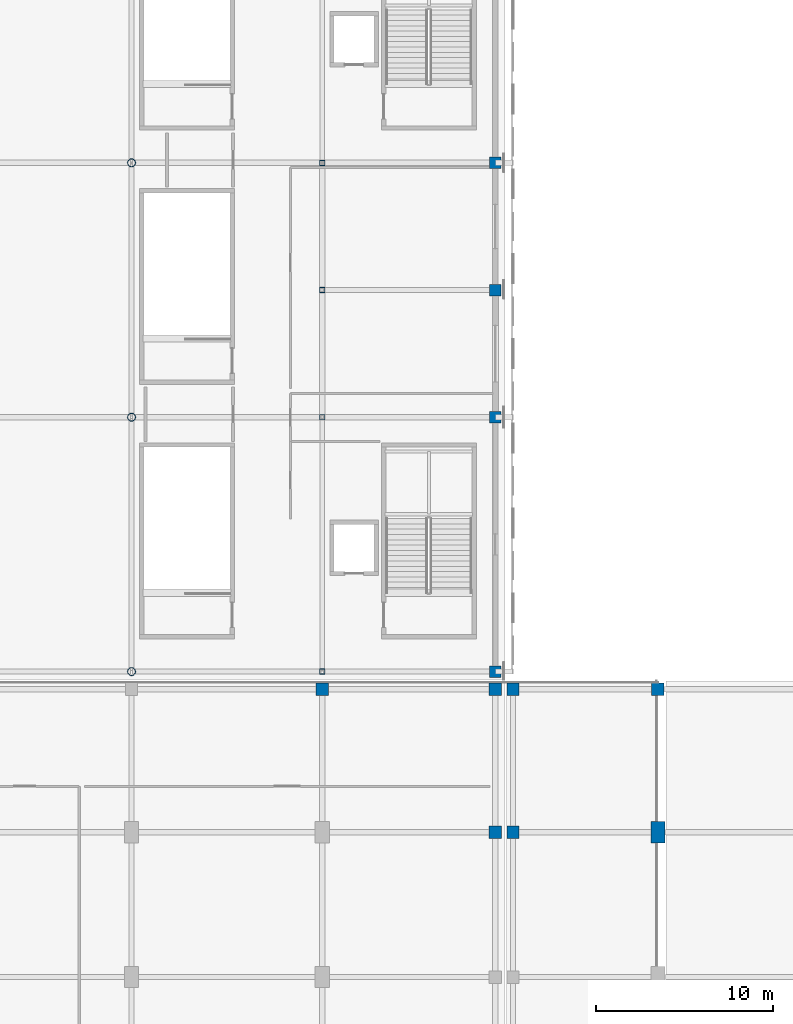
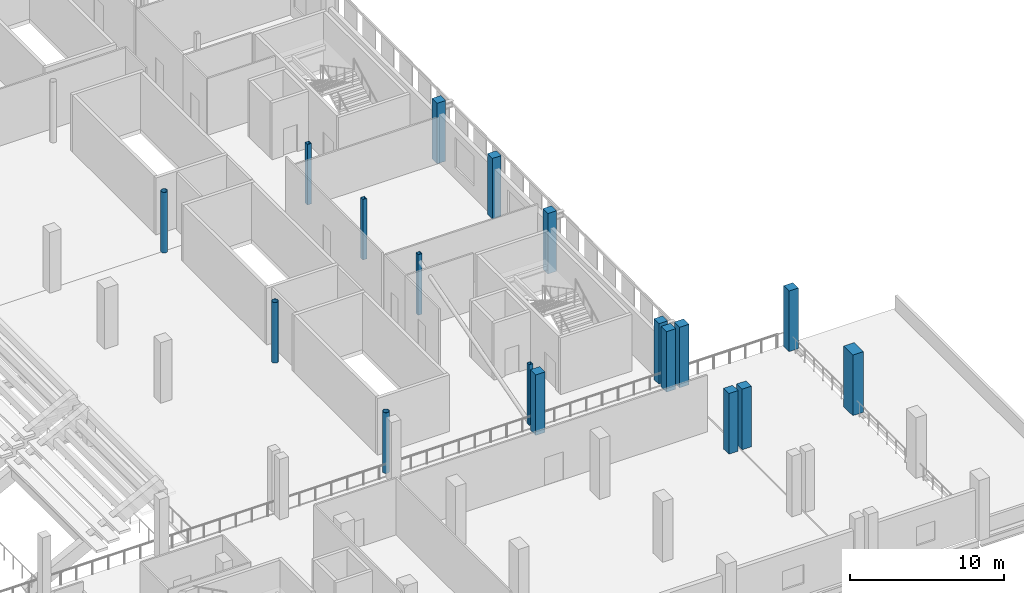
# One storey, part 7 of 74: 18 columns.
"""IFC4 building model written with IfcOpenShell, lengths in metres."""

import ifcopenshell
import ifcopenshell.guid

model = None  # the IFC model being written
_history = None  # IfcOwnerHistory: only IFC2X3 demands one
_inside = {}  # id of a spatial element -> (the spatial element, [elements in it])
_under = {}  # id of a project, library or spatial element -> (it, [spatial elements below it])
_declared = {}  # id of a project -> (the project, [libraries it declares])
_typed = {}  # id of a type object -> (the type object, [elements of that type])
_made_of = {}  # id of a material, layer set ... -> (it, [elements and type objects made of it])


def new_model(schema):
    """Start an empty IFC model of exactly this schema.

    Asked for "IFC4X3", IfcOpenShell would pick the latest addendum, in which some entities
    have other attributes; the version numbers below select the first issue.
    IFC2X3 requires an IfcOwnerHistory on every rooted entity: one is made here for all.
    """
    global model, _history
    if schema == "IFC4X3":
        model = ifcopenshell.file(schema_version=(4, 3, 0, 0))
    else:
        model = ifcopenshell.file(schema=schema)
    _inside.clear()
    _under.clear()
    _declared.clear()
    _typed.clear()
    _made_of.clear()
    _history = None
    if model.schema == "IFC2X3":
        org = make("IfcOrganization", Name="unknown")
        user = make(
            "IfcPersonAndOrganization",
            ThePerson=make("IfcPerson", FamilyName="unknown"),
            TheOrganization=org,
        )
        app = make(
            "IfcApplication",
            ApplicationDeveloper=org,
            Version="unknown",
            ApplicationFullName="unknown",
            ApplicationIdentifier="unknown",
        )
        _history = make(
            "IfcOwnerHistory",
            OwningUser=user,
            OwningApplication=app,
            ChangeAction="ADDED",
            CreationDate=0,
        )
    return model


def make(cls, **values):
    """One entity of the class cls with the attributes given. An attribute that is None is left unset."""
    return model.create_entity(
        cls, **{name: value for name, value in values.items() if value is not None}
    )


def rooted(cls, **values):
    """An entity with a GlobalId (a new one), such as an element, a storey or a relation."""
    return make(cls, GlobalId=ifcopenshell.guid.new(), OwnerHistory=_history, **values)


def si_unit(unit_type, name, prefix=None):
    """IfcSIUnit, for example si_unit("LENGTHUNIT", "METRE", prefix="MILLI")."""
    return make("IfcSIUnit", UnitType=unit_type, Prefix=prefix, Name=name)


def assignment(units):
    """IfcUnitAssignment: the units of a project."""
    return None if units is None else make("IfcUnitAssignment", Units=units)


def point(xyz):
    """IfcCartesianPoint."""
    return None if xyz is None else make("IfcCartesianPoint", Coordinates=xyz)


def direction(xyz):
    """IfcDirection."""
    return None if xyz is None else make("IfcDirection", DirectionRatios=xyz)


def frame(location, z_axis=None, x_axis=None):
    """IfcAxis2Placement3D, a coordinate frame: its origin and axes. An axis left out is left unset."""
    return make(
        "IfcAxis2Placement3D",
        Location=point(location),
        Axis=direction(z_axis),
        RefDirection=direction(x_axis),
    )


def frame_2d(location, x_axis=None):
    """IfcAxis2Placement2D, a coordinate frame in the plane: its origin and x axis."""
    return make(
        "IfcAxis2Placement2D", Location=point(location), RefDirection=direction(x_axis)
    )


def origin():
    """The frame at (0, 0, 0) with its axes left unset."""
    return frame((0.0, 0.0, 0.0))


def origin_2d():
    """The frame at (0, 0) in the plane with its x axis left unset."""
    return frame_2d((0.0, 0.0))


def place(relative_to, where):
    """IfcLocalPlacement: puts the frame where relative to a parent placement (None: the world)."""
    return make(
        "IfcLocalPlacement", PlacementRelTo=relative_to, RelativePlacement=where
    )


def context(
    kind, dimensions, precision=None, world=None, true_north=None, identifier=None
):
    """IfcGeometricRepresentationContext, for example the 3D "Model" context."""
    return make(
        "IfcGeometricRepresentationContext",
        ContextIdentifier=identifier,
        ContextType=kind,
        CoordinateSpaceDimension=dimensions,
        Precision=precision,
        WorldCoordinateSystem=world,
        TrueNorth=true_north,
    )


def subcontext(parent, identifier, kind, view, scale=None):
    """IfcGeometricRepresentationSubContext, for example "Body" below "Model"."""
    return make(
        "IfcGeometricRepresentationSubContext",
        ContextIdentifier=identifier,
        ContextType=kind,
        ParentContext=parent,
        TargetScale=scale,
        TargetView=view,
    )


def project(units=None, contexts=None):
    """IfcProject with its units and contexts."""
    return rooted(
        "IfcProject",
        Name="project",
        RepresentationContexts=contexts,
        UnitsInContext=assignment(units),
    )


def spatial(cls, under=None, at=None, **own):
    """A site, building, storey or space (cls), placed at a placement, below another one or the project."""
    s = rooted(cls, ObjectPlacement=at, **own)
    if under is not None:
        _under.setdefault(under.id(), (under, []))[1].append(s)
    return s


def profile(cls, at=None, kind="AREA", **sizes):
    """A parametric profile (cls). Its sizes go by their IFC names, for example OverallWidth=200.0."""
    return make(cls, ProfileType=kind, Position=at, **sizes)


def rectangle(**sizes):
    """IfcRectangleProfileDef."""
    return profile("IfcRectangleProfileDef", **sizes)


def hollow_rectangle(**sizes):
    """IfcRectangleHollowProfileDef."""
    return profile("IfcRectangleHollowProfileDef", **sizes)


def hollow_circle(**sizes):
    """IfcCircleHollowProfileDef."""
    return profile("IfcCircleHollowProfileDef", **sizes)


def extrude(swept, where, along, depth):
    """IfcExtrudedAreaSolid: the profile swept, set in the frame where, extruded along a direction by depth."""
    return make(
        "IfcExtrudedAreaSolid",
        SweptArea=swept,
        Position=where,
        ExtrudedDirection=direction(along),
        Depth=depth,
    )


def shape(context_of_items, identifier, shape_type, items):
    """IfcShapeRepresentation: the items that make up one representation, for example the "Body"."""
    return make(
        "IfcShapeRepresentation",
        ContextOfItems=context_of_items,
        RepresentationIdentifier=identifier,
        RepresentationType=shape_type,
        Items=items,
    )


def material(Name=None, Category=None):
    """IfcMaterial."""
    return make("IfcMaterial", Name=Name, Category=Category)


def material_profile(
    of_material, cross_section, Name=None, Category=None, Priority=None
):
    """IfcMaterialProfile: a cross section and its material."""
    return make(
        "IfcMaterialProfile",
        Name=Name,
        Material=of_material,
        Profile=cross_section,
        Priority=Priority,
        Category=Category,
    )


def profile_set(profiles, Name=None, composite=None):
    """IfcMaterialProfileSet."""
    return make(
        "IfcMaterialProfileSet",
        Name=Name,
        MaterialProfiles=profiles,
        CompositeProfile=composite,
    )


def made_of(thing, what):
    """Note that an element or type object is made of a material, layer set ...; save() writes the relation."""
    if what is not None:
        _made_of.setdefault(what.id(), (what, []))[1].append(thing)
    return thing


def type_object(cls, material=None, **own):
    """A type object (cls), such as IfcWallType, which elements share."""
    return made_of(rooted(cls, **own), material)


def element(
    cls,
    number,
    at=None,
    inside=None,
    cuts=None,
    type_object=None,
    material=None,
    context=None,
    identifier="Body",
    shape_type=None,
    held_by="IfcProductDefinitionShape",
    body=None,
    shapes=None,
    **own,
):
    """One element of the class cls, such as IfcWall. Its Tag is "e" and its number.

    at: its placement. inside: the storey or other place that contains it. cuts: it is an
    opening in that element (IfcRelVoidsElement). A single representation is given by context,
    identifier, shape_type and body (its items); several are given by shapes. held_by: the class
    of the entity that holds the representations. save() writes the other relations.
    """
    e = rooted(cls, Tag="e%d" % number, ObjectPlacement=at, **own)
    if body is not None:
        shapes = [shape(context, identifier, shape_type, body)]
    if shapes is not None:
        e.Representation = make(held_by, Representations=shapes)
    if inside is not None:
        _inside.setdefault(inside.id(), (inside, []))[1].append(e)
    if cuts is not None:
        rooted(
            "IfcRelVoidsElement", RelatingBuildingElement=cuts, RelatedOpeningElement=e
        )
    if type_object is not None:
        _typed.setdefault(type_object.id(), (type_object, []))[1].append(e)
    return made_of(e, material)


def aggregate(whole, parts):
    """IfcRelAggregates: a whole, such as a stair, and the parts it consists of."""
    return rooted("IfcRelAggregates", RelatingObject=whole, RelatedObjects=parts)


def save(model, path):
    """Write the relations noted so far, then the file.

    IfcRelAggregates (storeys below a building ...), IfcRelContainedInSpatialStructure (elements
    in a storey), IfcRelDefinesByType, IfcRelAssociatesMaterial and IfcRelDeclares: one each for
    every whole, place, type object, material and project.
    """
    for whole, parts in _under.values():
        aggregate(whole, parts)
    for where, things in _inside.values():
        rooted(
            "IfcRelContainedInSpatialStructure",
            RelatedElements=things,
            RelatingStructure=where,
        )
    for kind, things in _typed.values():
        rooted("IfcRelDefinesByType", RelatedObjects=things, RelatingType=kind)
    for what, things in _made_of.values():
        rooted("IfcRelAssociatesMaterial", RelatedObjects=things, RelatingMaterial=what)
    for by, libraries in _declared.values():
        rooted("IfcRelDeclares", RelatingContext=by, RelatedDefinitions=libraries)
    model.write(path)


model = new_model("IFC4")

# Units and contexts
model_context = context("Model", 3, precision=1e-05, world=origin(), true_north=direction((0.0, 1.0)))
body_context = subcontext(model_context, "Body", "Model", "MODEL_VIEW")
ifc_project = project(units=[si_unit("LENGTHUNIT", "METRE"), si_unit("AREAUNIT", "SQUARE_METRE"), si_unit("VOLUMEUNIT", "CUBIC_METRE"), si_unit("PLANEANGLEUNIT", "RADIAN"), si_unit("MASSUNIT", "GRAM", prefix="KILO")], contexts=[model_context])

# Site, building, storey
site_placement = place(None, origin())
site = spatial("IfcSite", under=ifc_project, at=site_placement, CompositionType="ELEMENT")
building_placement = place(site_placement, origin())
building = spatial("IfcBuilding", under=site, at=building_placement, Name="Koshinbarg Plaza Stadium", CompositionType="ELEMENT")
storey_placement = place(building_placement, frame((0.0, 0.0, 15.0)))
storey = spatial("IfcBuildingStorey", under=building, at=storey_placement, Name="L03", CompositionType="ELEMENT", Elevation=15.0)

# Columns
ifc_material_1 = material(Name="Concrete C40/50", Category="concrete")
ifc_material_profile_1 = material_profile(ifc_material_1, rectangle(XDim=0.64990234375, YDim=0.64990234375, at=origin_2d()), Name="RC 650x650")
ifc_profile_set_1 = profile_set([ifc_material_profile_1], Name="Concrete C40/50")
column_type_1 = type_object("IfcColumnType", Name="COL-RC-05", PredefinedType="COLUMN", material=ifc_profile_set_1)
for number, where, z_axis, x_axis, name in (
    (1, (218.39990234375, 25.5, 0.0), (0.0, 0.0, 1.0), (1.0, 0.0, 0.0), "L03 column 21/E"),
    (2, (218.39990234375, 39.89990234375, 0.0), (0.0, 0.0, 1.0), (1.0, 0.0, 0.0), "L03 column 21/F"),
    (3, (218.39990234375, 47.10009765625, 0.0), (0.0, 0.0, 1.0), (1.0, 0.0, 0.0), "L03 column 21/G"),
    (4, (218.39990234375, 54.300048828125, 0.0), (0.0, 0.0, 1.0), (1.0, 0.0, 0.0), "L03 column 21/H"),
):
    element("IfcColumn", number, at=place(storey_placement, frame(where, z_axis=z_axis, x_axis=x_axis)), inside=storey, type_object=column_type_1, Name=name, PredefinedType="COLUMN", context=body_context, shape_type="SweptSolid", body=[
        extrude(rectangle(XDim=0.64990234375, YDim=0.64990234375, at=origin_2d()), origin(), (0.0, 0.0, 1.0), 4.800048828125),
    ])
ifc_material_profile_2 = material_profile(ifc_material_1, rectangle(XDim=0.699951171875, YDim=0.699951171875, at=origin_2d()), Name="RC 700x700")
ifc_profile_set_2 = profile_set([ifc_material_profile_2], Name="Concrete C40/50")
column_type_2 = type_object("IfcColumnType", Name="COL-RC-06", PredefinedType="COLUMN", material=ifc_profile_set_2)
for number, where, z_axis, x_axis, name in (
    (5, (208.60009765625, 24.5, 0.0), (0.0, 0.0, 1.0), (1.0, 0.0, 0.0), "L03 column 20/D"),
    (6, (218.39990234375, 16.39990234375, 0.0), (0.0, 0.0, 1.0), (1.0, 0.0, 0.0), "L03 column 21/C"),
    (7, (218.39990234375, 24.5, 0.0), (0.0, 0.0, 1.0), (1.0, 0.0, 0.0), "L03 column 21/D"),
    (8, (219.39990234375, 16.39990234375, 0.0), (0.0, 0.0, 1.0), (1.0, 0.0, 0.0), "L03 column 22/C"),
    (9, (219.39990234375, 24.5, 0.0), (0.0, 0.0, 1.0), (1.0, 0.0, 0.0), "L03 column 22/D"),
    (10, (227.60009765625, 24.5, 0.0), (0.0, 0.0, 1.0), (1.0, 0.0, 0.0), "L03 column 23/D"),
):
    element("IfcColumn", number, at=place(storey_placement, frame(where, z_axis=z_axis, x_axis=x_axis)), inside=storey, type_object=column_type_2, Name=name, PredefinedType="COLUMN", context=body_context, shape_type="SweptSolid", body=[
        extrude(rectangle(XDim=0.699951171875, YDim=0.699951171875, at=origin_2d()), origin(), (0.0, 0.0, 1.0), 4.800048828125),
    ])
ifc_material_profile_3 = material_profile(ifc_material_1, rectangle(XDim=0.800048828125, YDim=1.199951171875, at=origin_2d()), Name="RC 800x1200")
ifc_profile_set_3 = profile_set([ifc_material_profile_3], Name="Concrete C40/50")
column_type_3 = type_object("IfcColumnType", Name="COL-RC-14", PredefinedType="COLUMN", material=ifc_profile_set_3)
column_placement = place(storey_placement, frame((227.60009765625, 16.39990234375, 0.0), z_axis=(0.0, 0.0, 1.0), x_axis=(1.0, 0.0, 0.0)))
element("IfcColumn", 11, at=column_placement, inside=storey, type_object=column_type_3, Name="L03 column 23/C", PredefinedType="COLUMN", context=body_context, shape_type="SweptSolid", body=[
    extrude(rectangle(XDim=0.800048828125, YDim=1.199951171875, at=origin_2d()), origin(), (0.0, 0.0, 1.0), 4.800048828125),
])
ifc_material_2 = material(Name="Steel S355", Category="steel")
ifc_material_profile_4 = material_profile(ifc_material_2, hollow_circle(Radius=0.228515625, WallThickness=0.02001953125, at=origin_2d()), Name="CHS 457x20")
ifc_profile_set_4 = profile_set([ifc_material_profile_4], Name="Steel S355")
column_type_4 = type_object("IfcColumnType", Name="COL-STL-05", PredefinedType="COLUMN", material=ifc_profile_set_4)
for number, where, z_axis, x_axis, name in (
    (12, (197.800048828125, 25.5, 0.0), (0.0, 0.0, 1.0), (1.0, 0.0, 0.0), "L03 column 19/E"),
    (13, (197.800048828125, 39.89990234375, 0.0), (0.0, 0.0, 1.0), (1.0, 0.0, 0.0), "L03 column 19/F"),
    (14, (197.800048828125, 54.300048828125, 0.0), (0.0, 0.0, 1.0), (1.0, 0.0, 0.0), "L03 column 19/H"),
):
    element("IfcColumn", number, at=place(storey_placement, frame(where, z_axis=z_axis, x_axis=x_axis)), inside=storey, type_object=column_type_4, Name=name, PredefinedType="COLUMN", context=body_context, shape_type="SweptSolid", body=[
        extrude(hollow_circle(Radius=0.228515625, WallThickness=0.02001953125, at=origin_2d()), origin(), (0.0, 0.0, 1.0), 4.800048828125),
    ])
ifc_material_profile_5 = material_profile(ifc_material_2, hollow_rectangle(XDim=0.300048828125, YDim=0.300048828125, WallThickness=0.01611328125, at=origin_2d()), Name="SHS 300x300x16")
ifc_profile_set_5 = profile_set([ifc_material_profile_5], Name="Steel S355")
column_type_5 = type_object("IfcColumnType", Name="COL-STL-06", PredefinedType="COLUMN", material=ifc_profile_set_5)
for number, where, z_axis, x_axis, name in (
    (15, (208.60009765625, 25.5, 0.0), (0.0, 0.0, 1.0), (1.0, 0.0, 0.0), "L03 column 20/E"),
    (16, (208.60009765625, 39.89990234375, 0.0), (0.0, 0.0, 1.0), (1.0, 0.0, 0.0), "L03 column 20/F"),
    (17, (208.60009765625, 47.10009765625, 0.0), (0.0, 0.0, 1.0), (1.0, 0.0, 0.0), "L03 column 20/G"),
    (18, (208.60009765625, 54.300048828125, 0.0), (0.0, 0.0, 1.0), (1.0, 0.0, 0.0), "L03 column 20/H"),
):
    element("IfcColumn", number, at=place(storey_placement, frame(where, z_axis=z_axis, x_axis=x_axis)), inside=storey, type_object=column_type_5, Name=name, PredefinedType="COLUMN", context=body_context, shape_type="SweptSolid", body=[
        extrude(hollow_rectangle(XDim=0.300048828125, YDim=0.300048828125, WallThickness=0.01611328125, at=origin_2d()), origin(), (0.0, 0.0, 1.0), 4.800048828125),
    ])

save(model, "model.ifc")
